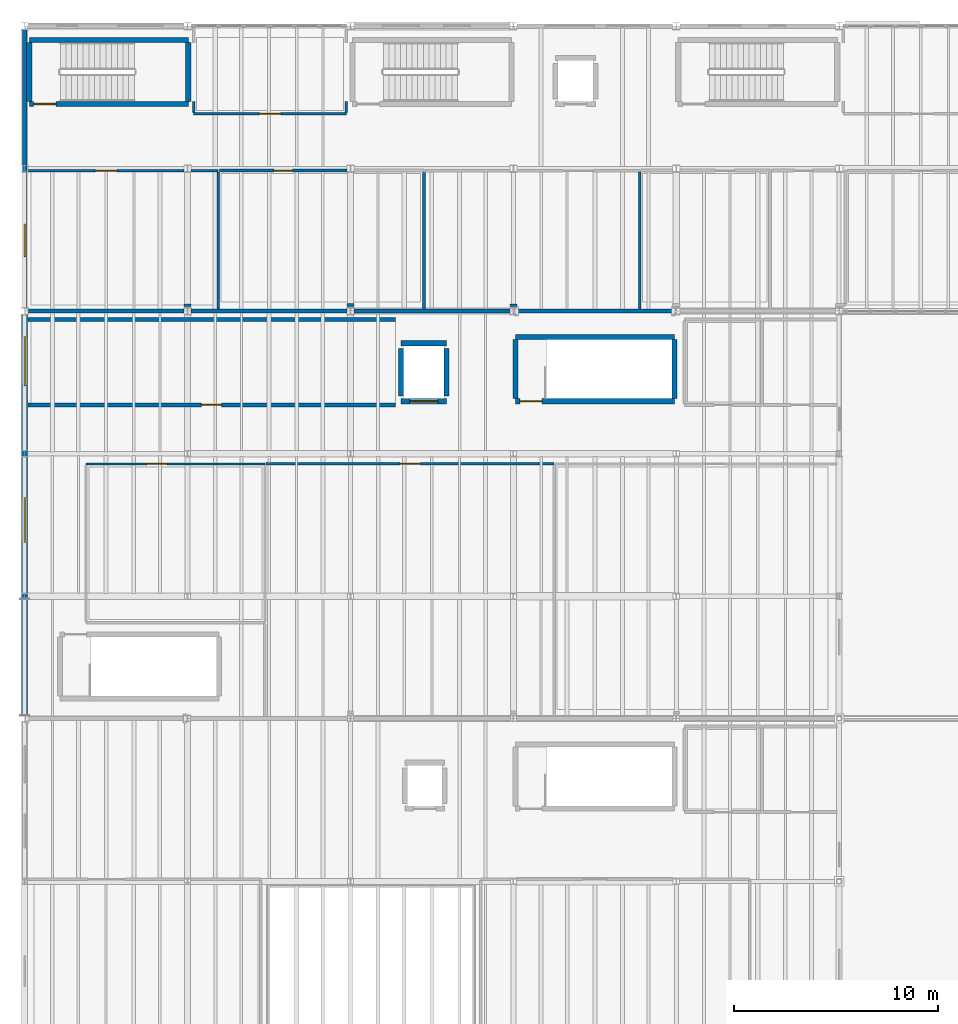
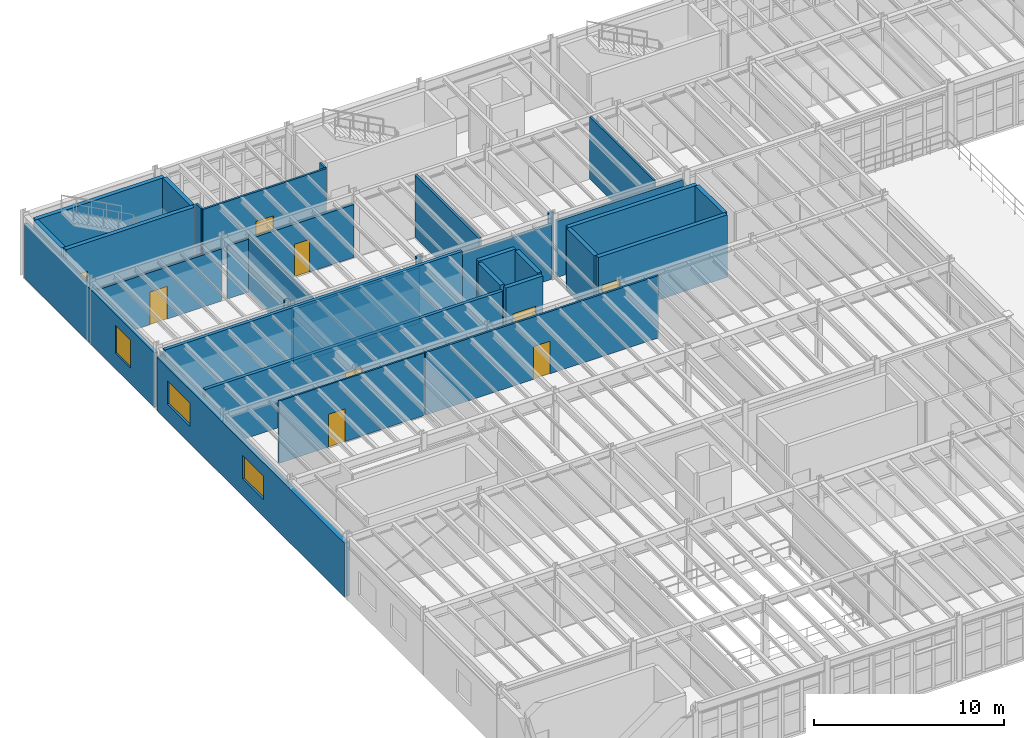
# One storey, part 60 of 78: 34 walls, 9 doors, 3 windows, 12 openings.
"""IFC4 building model written with IfcOpenShell, lengths in metres."""

from ifc_helpers import new_model, si_unit, direction, frame, frame_2d, origin, place, context, subcontext, project, spatial, rectangle, extrude, material, layer, layer_set, type_object, element, fill, save


model = new_model("IFC4")

# Units and contexts
model_context = context("Model", 3, precision=1e-05, world=origin(), true_north=direction((0.0, 1.0)))
body_context = subcontext(model_context, "Body", "Model", "MODEL_VIEW")
ifc_project = project(units=[si_unit("LENGTHUNIT", "METRE"), si_unit("AREAUNIT", "SQUARE_METRE"), si_unit("VOLUMEUNIT", "CUBIC_METRE"), si_unit("PLANEANGLEUNIT", "RADIAN"), si_unit("MASSUNIT", "GRAM", prefix="KILO"), si_unit("THERMODYNAMICTEMPERATUREUNIT", "KELVIN"), si_unit("POWERUNIT", "WATT")], contexts=[model_context])

# Site, building, storey
site_placement = place(None, origin())
site = spatial("IfcSite", under=ifc_project, at=site_placement, CompositionType="ELEMENT")
building_placement = place(site_placement, origin())
building = spatial("IfcBuilding", under=site, at=building_placement, Name="Zhenchuan Central Fire Station", CompositionType="ELEMENT")
storey_placement = place(building_placement, frame((0.0, 0.0, 5.85009765625)))
storey = spatial("IfcBuildingStorey", under=building, at=storey_placement, Name="L02", CompositionType="ELEMENT", Elevation=5.85009765625)

# Wall, openings, windows
ifc_material_1 = material(Name="Sintered clay brick masonry MU15", Category="masonry")
ifc_layer_1 = layer(ifc_material_1, 0.300048828125, Name="Sintered clay brick masonry MU15", Category="masonry")
ifc_layer_set_1 = layer_set([ifc_layer_1], Name="Sintered clay brick masonry MU15")
wall_type_1 = type_object("IfcWallType", Name="EW-BRK300", PredefinedType="SOLIDWALL", material=ifc_layer_set_1)
wall_1_placement = place(storey_placement, frame((0.0, 22.64990234375, 0.0), z_axis=(0.0, 0.0, 1.0), x_axis=(0.0, 1.0, 0.0)))
wall_1 = element("IfcWall", 1, at=wall_1_placement, inside=storey, type_object=wall_type_1, Name="EW-L02-V4W", PredefinedType="SOLIDWALL", context=body_context, shape_type="SweptSolid", body=[
    extrude(rectangle(XDim=19.675048828125, YDim=0.300048828125, at=frame_2d((9.83740234375, 0.0))), origin(), (0.0, 0.0, 1.0), 3.44384765625),
])
opening_1_placement = place(wall_1_placement, frame((8.5, 0.0, 1.10009765625)))
opening_1 = element("IfcOpeningElement", 2, at=opening_1_placement, cuts=wall_1, Name="Opening W-20", PredefinedType="OPENING", context=body_context, shape_type="SweptSolid", body=[
    extrude(rectangle(XDim=2.199951171875, YDim=1.5, at=frame_2d((1.10009765625, 0.75))), frame((0.0, 0.159912109375, 0.0), z_axis=(0.0, -1.0, 0.0), x_axis=(1.0, 0.0, 0.0)), (0.0, 0.0, 1.0), 0.320068359375),
])
opening_2_placement = place(wall_1_placement, frame((16.199951171875, 0.0, 1.10009765625)))
opening_2 = element("IfcOpeningElement", 3, at=opening_2_placement, cuts=wall_1, Name="Opening W-21", PredefinedType="OPENING", context=body_context, shape_type="SweptSolid", body=[
    extrude(rectangle(XDim=2.39990234375, YDim=1.5, at=frame_2d((1.199951171875, 0.75))), frame((0.0, 0.159912109375, 0.0), z_axis=(0.0, -1.0, 0.0), x_axis=(1.0, 0.0, 0.0)), (0.0, 0.0, 1.0), 0.320068359375),
])
ifc_material_2 = material(Name="Laminated low-E double glazing in aluminium frame", Category="aluminium")
window_type_1 = type_object("IfcWindowType", Name="WN-20", PartitioningType="SINGLE_PANEL", PredefinedType="WINDOW", material=ifc_material_2)
window_1_placement = place(opening_1_placement, origin())
window_1 = element("IfcWindow", 4, at=window_1_placement, inside=storey, type_object=window_type_1, Name="Exterior Window 0048", OverallHeight=1.5, OverallWidth=2.199951171875, PartitioningType="SINGLE_PANEL", PredefinedType="WINDOW", context=body_context, shape_type="SweptSolid", body=[
    extrude(rectangle(XDim=2.199951171875, YDim=1.5, at=frame_2d((1.10009765625, 0.75))), frame((0.0, 0.030029296875, 0.0), z_axis=(0.0, -1.0, 0.0), x_axis=(1.0, 0.0, 0.0)), (0.0, 0.0, 1.0), 0.06005859375),
])
fill(opening_1, window_1)
window_type_2 = type_object("IfcWindowType", Name="WN-21", PartitioningType="SINGLE_PANEL", PredefinedType="WINDOW", material=ifc_material_2)
window_2_placement = place(opening_2_placement, origin())
window_2 = element("IfcWindow", 5, at=window_2_placement, inside=storey, type_object=window_type_2, Name="Exterior Window 0049", OverallHeight=1.5, OverallWidth=2.39990234375, PartitioningType="SINGLE_PANEL", PredefinedType="WINDOW", context=body_context, shape_type="SweptSolid", body=[
    extrude(rectangle(XDim=2.39990234375, YDim=1.5, at=frame_2d((1.199951171875, 0.75))), frame((0.0, 0.030029296875, 0.0), z_axis=(0.0, -1.0, 0.0), x_axis=(1.0, 0.0, 0.0)), (0.0, 0.0, 1.0), 0.06005859375),
])
fill(opening_2, window_2)

# Wall, opening, window
ifc_material_3 = material(Name="Precast concrete C40/50", Category="concrete")
ifc_layer_2 = layer(ifc_material_3, 0.219970703125, Name="Precast concrete C40/50", Category="concrete")
ifc_layer_set_2 = layer_set([ifc_layer_2], Name="Precast concrete C40/50")
wall_type_2 = type_object("IfcWallType", Name="EW-PRC220", PredefinedType="SOLIDWALL", material=ifc_layer_set_2)
wall_2_placement = place(storey_placement, frame((0.0, 42.675048828125, 0.0), z_axis=(0.0, 0.0, 1.0), x_axis=(0.0, 1.0, 0.0)))
wall_2 = element("IfcWall", 6, at=wall_2_placement, inside=storey, type_object=wall_type_2, Name="EW-L02-V3W", PredefinedType="SOLIDWALL", context=body_context, shape_type="SweptSolid", body=[
    extrude(rectangle(XDim=13.64990234375, YDim=0.219970703125, at=frame_2d((6.824951171875, 0.0))), origin(), (0.0, 0.0, 1.0), 3.493896484375),
])
opening_3_placement = place(wall_2_placement, frame((2.5, 0.0, 1.0)))
opening_3 = element("IfcOpeningElement", 7, at=opening_3_placement, cuts=wall_2, Name="Opening W-24", PredefinedType="OPENING", context=body_context, shape_type="SweptSolid", body=[
    extrude(rectangle(XDim=1.60009765625, YDim=1.800048828125, at=frame_2d((0.800048828125, 0.89990234375))), frame((0.0, 0.119873046875, 0.0), z_axis=(0.0, -1.0, 0.0), x_axis=(1.0, 0.0, 0.0)), (0.0, 0.0, 1.0), 0.239990234375),
])
window_type_3 = type_object("IfcWindowType", Name="WN-24", PartitioningType="SINGLE_PANEL", PredefinedType="WINDOW", material=ifc_material_2)
window_3_placement = place(opening_3_placement, origin())
window_3 = element("IfcWindow", 8, at=window_3_placement, inside=storey, type_object=window_type_3, Name="Exterior Window 0062", OverallHeight=1.800048828125, OverallWidth=1.60009765625, PartitioningType="SINGLE_PANEL", PredefinedType="WINDOW", context=body_context, shape_type="SweptSolid", body=[
    extrude(rectangle(XDim=1.60009765625, YDim=1.800048828125, at=frame_2d((0.800048828125, 0.89990234375))), frame((0.0, 0.030029296875, 0.0), z_axis=(0.0, -1.0, 0.0), x_axis=(1.0, 0.0, 0.0)), (0.0, 0.0, 1.0), 0.06005859375),
])
fill(opening_3, window_3)

# Wall
ifc_material_4 = material(Name="Autoclaved aerated concrete blockwork", Category="masonry")
ifc_layer_3 = layer(ifc_material_4, 0.14990234375, Name="Autoclaved aerated concrete blockwork", Category="masonry")
ifc_layer_set_3 = layer_set([ifc_layer_3], Name="Autoclaved aerated concrete blockwork")
wall_type_3 = type_object("IfcWallType", Name="IW-BLK150", PredefinedType="PARTITIONING", material=ifc_layer_set_3)
wall_3_placement = place(storey_placement, frame((15.825927734375, 42.800048828125, 0.0), z_axis=(0.0, 0.0, 1.0), x_axis=(1.0, 0.0, 0.0)))
element("IfcWall", 9, at=wall_3_placement, inside=storey, type_object=wall_type_3, Name="Crew Shower and Washroom West S Partition", PredefinedType="PARTITIONING", context=body_context, shape_type="SweptSolid", body=[
    extrude(rectangle(XDim=0.34814453125, YDim=0.14990234375, at=frame_2d((0.174072265625, 0.0))), origin(), (0.0, 0.0, 1.0), 4.0),
])

# Wall, opening, door
wall_4_placement = place(storey_placement, frame((9.56298828125, 49.39990234375, 0.0), z_axis=(0.0, 0.0, 1.0), x_axis=(1.0, 0.0, 0.0)))
wall_4 = element("IfcWall", 10, at=wall_4_placement, inside=storey, type_object=wall_type_3, Name="Crew Shower and Washroom West N Partition 1", PredefinedType="PARTITIONING", context=body_context, shape_type="SweptSolid", body=[
    extrude(rectangle(XDim=6.259033203125, YDim=0.14990234375, at=frame_2d((3.12939453125, 0.0))), origin(), (0.0, 0.0, 1.0), 3.393798828125),
])
opening_4_placement = place(wall_4_placement, frame((2.66943359375, 0.0, 0.0)))
opening_4 = element("IfcOpeningElement", 11, at=opening_4_placement, cuts=wall_4, Name="Opening D-132", PredefinedType="OPENING", context=body_context, shape_type="SweptSolid", body=[
    extrude(rectangle(XDim=0.919921875, YDim=2.10009765625, at=frame_2d((0.4599609375, 1.050048828125))), frame((0.0, 0.0849609375, 0.0), z_axis=(0.0, -1.0, 0.0), x_axis=(1.0, 0.0, 0.0)), (0.0, 0.0, 1.0), 0.169921875),
])
ifc_material_5 = material(Name="Moisture-resistant accessible WC door")
door_type_1 = type_object("IfcDoorType", Name="ID-WC-092x210", OperationType="NOTDEFINED", PredefinedType="DOOR", material=ifc_material_5)
door_1_placement = place(opening_4_placement, origin())
door_1 = element("IfcDoor", 12, at=door_1_placement, inside=storey, type_object=door_type_1, Name="Crew Shower and Washroom West Door", OperationType="SINGLE_SWING_RIGHT", OverallHeight=2.10009765625, OverallWidth=0.919921875, PredefinedType="DOOR", context=body_context, shape_type="SweptSolid", body=[
    extrude(rectangle(XDim=0.919921875, YDim=2.10009765625, at=frame_2d((0.4599609375, 1.050048828125))), frame((0.0, 0.02490234375, 0.0), z_axis=(0.0, -1.0, 0.0), x_axis=(1.0, 0.0, 0.0)), (0.0, 0.0, 1.0), 0.050048828125),
])
fill(opening_4, door_1)

# Walls
wall_5_placement = place(storey_placement, frame((19.60009765625, 42.60302734375, 0.0), z_axis=(0.0, 0.0, 1.0), x_axis=(0.0, 1.0, 0.0)))
element("IfcWall", 13, at=wall_5_placement, inside=storey, type_object=wall_type_3, Name="Crew Shower and Washroom West E Partition", PredefinedType="PARTITIONING", context=body_context, shape_type="SweptSolid", body=[
    extrude(rectangle(XDim=6.718994140625, YDim=0.14990234375, at=frame_2d((3.359375, 0.0))), origin(), (0.0, 0.0, 1.0), 4.0),
])
ifc_layer_4 = layer(ifc_material_4, 0.199951171875, Name="Autoclaved aerated concrete blockwork", Category="masonry")
ifc_layer_set_4 = layer_set([ifc_layer_4], Name="Autoclaved aerated concrete blockwork")
wall_type_4 = type_object("IfcWallType", Name="IW-FIR200", PredefinedType="PARTITIONING", material=ifc_layer_set_4)
wall_6_placement = place(storey_placement, frame((0.177001953125, 42.5, 0.0), z_axis=(0.0, 0.0, 1.0), x_axis=(1.0, 0.0, 0.0)))
element("IfcWall", 14, at=wall_6_placement, inside=storey, type_object=wall_type_4, Name="L02 Workshop-Crew Fire Compartment Wall X=0..8", PredefinedType="PARTITIONING", context=body_context, shape_type="SweptSolid", body=[
    extrude(rectangle(XDim=7.64599609375, YDim=0.199951171875, at=frame_2d((3.822998046875, 0.0))), origin(), (0.0, 0.0, 1.0), 3.493896484375),
])
wall_7_placement = place(storey_placement, frame((8.177001953125, 42.5, 0.0), z_axis=(0.0, 0.0, 1.0), x_axis=(1.0, 0.0, 0.0)))
element("IfcWall", 15, at=wall_7_placement, inside=storey, type_object=wall_type_4, Name="L02 Workshop-Crew Fire Compartment Wall X=8..16", PredefinedType="PARTITIONING", context=body_context, shape_type="SweptSolid", body=[
    extrude(rectangle(XDim=7.64599609375, YDim=0.199951171875, at=frame_2d((3.822998046875, 0.0))), origin(), (0.0, 0.0, 1.0), 3.5439453125),
])
wall_8_placement = place(storey_placement, frame((16.177001953125, 42.5, 0.0), z_axis=(0.0, 0.0, 1.0), x_axis=(1.0, 0.0, 0.0)))
element("IfcWall", 16, at=wall_8_placement, inside=storey, type_object=wall_type_4, Name="L02 Workshop-Crew Fire Compartment Wall X=16..24", PredefinedType="PARTITIONING", context=body_context, shape_type="SweptSolid", body=[
    extrude(rectangle(XDim=7.64599609375, YDim=0.199951171875, at=frame_2d((3.822998046875, 0.0))), origin(), (0.0, 0.0, 1.0), 3.493896484375),
])
wall_9_placement = place(storey_placement, frame((24.177001953125, 42.5, 0.0), z_axis=(0.0, 0.0, 1.0), x_axis=(1.0, 0.0, 0.0)))
element("IfcWall", 17, at=wall_9_placement, inside=storey, type_object=wall_type_4, Name="L02 Workshop-Crew Fire Compartment Wall X=24..32", PredefinedType="PARTITIONING", context=body_context, shape_type="SweptSolid", body=[
    extrude(rectangle(XDim=7.64599609375, YDim=0.199951171875, at=frame_2d((3.822998046875, 0.0))), origin(), (0.0, 0.0, 1.0), 3.593994140625),
])

# Wall, opening, door
wall_10_placement = place(storey_placement, frame((0.153076171875, 37.89990234375, 0.0), z_axis=(0.0, 0.0, 1.0), x_axis=(1.0, 0.0, 0.0)))
wall_10 = element("IfcWall", 18, at=wall_10_placement, inside=storey, type_object=wall_type_4, Name="BA Telemetry Control Room S Partition", PredefinedType="PARTITIONING", context=body_context, shape_type="SweptSolid", body=[
    extrude(rectangle(XDim=18.046875, YDim=0.199951171875, at=frame_2d((9.0234375, 0.0))), origin(), (0.0, 0.0, 1.0), 4.0),
])
opening_5_placement = place(wall_10_placement, frame((8.5234375, 0.0, 0.0)))
opening_5 = element("IfcOpeningElement", 19, at=opening_5_placement, cuts=wall_10, Name="Opening D-128", PredefinedType="OPENING", context=body_context, shape_type="SweptSolid", body=[
    extrude(rectangle(XDim=1.0, YDim=2.10009765625, at=frame_2d((0.5, 1.050048828125))), frame((0.0, 0.10986328125, 0.0), z_axis=(0.0, -1.0, 0.0), x_axis=(1.0, 0.0, 0.0)), (0.0, 0.0, 1.0), 0.219970703125),
])
ifc_material_6 = material(Name="Solid-core timber office door", Category="wood")
door_type_2 = type_object("IfcDoorType", Name="ID-OFF-100x210", OperationType="NOTDEFINED", PredefinedType="DOOR", material=ifc_material_6)
door_2_placement = place(opening_5_placement, origin())
door_2 = element("IfcDoor", 20, at=door_2_placement, inside=storey, type_object=door_type_2, Name="BA Telemetry Control Room Door", OperationType="SINGLE_SWING_RIGHT", OverallHeight=2.10009765625, OverallWidth=1.0, PredefinedType="DOOR", context=body_context, shape_type="SweptSolid", body=[
    extrude(rectangle(XDim=1.0, YDim=2.10009765625, at=frame_2d((0.5, 1.050048828125))), frame((0.0, 0.02490234375, 0.0), z_axis=(0.0, -1.0, 0.0), x_axis=(1.0, 0.0, 0.0)), (0.0, 0.0, 1.0), 0.050048828125),
])
fill(opening_5, door_2)

# Wall
wall_11_placement = place(storey_placement, frame((0.153076171875, 42.10009765625, 0.0), z_axis=(0.0, 0.0, 1.0), x_axis=(1.0, 0.0, 0.0)))
element("IfcWall", 21, at=wall_11_placement, inside=storey, type_object=wall_type_4, Name="BA Telemetry Control Room N Partition", PredefinedType="PARTITIONING", context=body_context, shape_type="SweptSolid", body=[
    extrude(rectangle(XDim=18.046875, YDim=0.199951171875, at=frame_2d((9.0234375, 0.0))), origin(), (0.0, 0.0, 1.0), 4.0),
])

# Wall, opening, door
ifc_material_7 = material(Name="Gypsum plasterboard on steel studs", Category="gypsum")
ifc_layer_5 = layer(ifc_material_7, 0.10009765625, Name="Gypsum plasterboard on steel studs", Category="gypsum")
ifc_layer_set_5 = layer_set([ifc_layer_5], Name="Gypsum plasterboard on steel studs")
wall_type_5 = type_object("IfcWallType", Name="IW-GYP100", PredefinedType="PARTITIONING", material=ifc_layer_set_5)
wall_12_placement = place(storey_placement, frame((3.0, 35.0, 0.0), z_axis=(0.0, 0.0, 1.0), x_axis=(1.0, 0.0, 0.0)))
wall_12 = element("IfcWall", 22, at=wall_12_placement, inside=storey, type_object=wall_type_5, Name="Confined Search Training Maze N Partition", PredefinedType="PARTITIONING", context=body_context, shape_type="SweptSolid", body=[
    extrude(rectangle(XDim=8.800048828125, YDim=0.10009765625, at=frame_2d((4.39990234375, 0.0))), origin(), (0.0, 0.0, 1.0), 4.0),
])
opening_6_placement = place(wall_12_placement, frame((3.0, 0.0, 0.0)))
opening_6 = element("IfcOpeningElement", 23, at=opening_6_placement, cuts=wall_12, Name="Opening D-125", PredefinedType="OPENING", context=body_context, shape_type="SweptSolid", body=[
    extrude(rectangle(XDim=1.0, YDim=2.10009765625, at=frame_2d((0.5, 1.050048828125))), frame((0.0, 0.06005859375, 0.0), z_axis=(0.0, -1.0, 0.0), x_axis=(1.0, 0.0, 0.0)), (0.0, 0.0, 1.0), 0.1201171875),
])
door_3_placement = place(opening_6_placement, origin())
door_3 = element("IfcDoor", 24, at=door_3_placement, inside=storey, type_object=door_type_2, Name="Confined Search Training Maze Door", OperationType="SINGLE_SWING_LEFT", OverallHeight=2.10009765625, OverallWidth=1.0, PredefinedType="DOOR", context=body_context, shape_type="SweptSolid", body=[
    extrude(rectangle(XDim=1.0, YDim=2.10009765625, at=frame_2d((0.5, 1.050048828125))), frame((0.0, 0.02490234375, 0.0), z_axis=(0.0, -1.0, 0.0), x_axis=(1.0, 0.0, 0.0)), (0.0, 0.0, 1.0), 0.050048828125),
])
fill(opening_6, door_3)

ifc_layer_6 = layer(ifc_material_7, 0.1201171875, Name="Gypsum plasterboard on steel studs", Category="gypsum")
ifc_layer_set_6 = layer_set([ifc_layer_6], Name="Gypsum plasterboard on steel studs")
wall_type_6 = type_object("IfcWallType", Name="IW-GYP120", PredefinedType="PARTITIONING", material=ifc_layer_set_6)
wall_13_placement = place(storey_placement, frame((11.85302734375, 35.0, 0.0), z_axis=(0.0, 0.0, 1.0), x_axis=(1.0, 0.0, 0.0)))
wall_13 = element("IfcWall", 25, at=wall_13_placement, inside=storey, type_object=wall_type_6, Name="Breathing-Apparatus Training Chamber N Partition", PredefinedType="PARTITIONING", context=body_context, shape_type="SweptSolid", body=[
    extrude(rectangle(XDim=14.14697265625, YDim=0.1201171875, at=frame_2d((7.073486328125, 0.0))), origin(), (0.0, 0.0, 1.0), 4.0),
])
opening_7_placement = place(wall_13_placement, frame((6.573486328125, 0.0, 0.0)))
opening_7 = element("IfcOpeningElement", 26, at=opening_7_placement, cuts=wall_13, Name="Opening D-126", PredefinedType="OPENING", context=body_context, shape_type="SweptSolid", body=[
    extrude(rectangle(XDim=1.0, YDim=2.10009765625, at=frame_2d((0.5, 1.050048828125))), frame((0.0, 0.070068359375, 0.0), z_axis=(0.0, -1.0, 0.0), x_axis=(1.0, 0.0, 0.0)), (0.0, 0.0, 1.0), 0.14013671875),
])
door_4_placement = place(opening_7_placement, origin())
door_4 = element("IfcDoor", 27, at=door_4_placement, inside=storey, type_object=door_type_2, Name="Breathing-Apparatus Training Chamber Door", OperationType="SINGLE_SWING_RIGHT", OverallHeight=2.10009765625, OverallWidth=1.0, PredefinedType="DOOR", context=body_context, shape_type="SweptSolid", body=[
    extrude(rectangle(XDim=1.0, YDim=2.10009765625, at=frame_2d((0.5, 1.050048828125))), frame((0.0, 0.02490234375, 0.0), z_axis=(0.0, -1.0, 0.0), x_axis=(1.0, 0.0, 0.0)), (0.0, 0.0, 1.0), 0.050048828125),
])
fill(opening_7, door_4)

# Wall
wall_14_placement = place(storey_placement, frame((7.825927734375, 42.800048828125, 0.0), z_axis=(0.0, 0.0, 1.0), x_axis=(1.0, 0.0, 0.0)))
element("IfcWall", 28, at=wall_14_placement, inside=storey, type_object=wall_type_6, Name="Crew Dormitory 01 S Partition", PredefinedType="PARTITIONING", context=body_context, shape_type="SweptSolid", body=[
    extrude(rectangle(XDim=0.34814453125, YDim=0.1201171875, at=frame_2d((0.174072265625, 0.0))), origin(), (0.0, 0.0, 1.0), 4.0),
])

# Wall, opening, door
wall_15_placement = place(storey_placement, frame((0.177978515625, 49.39990234375, 0.0), z_axis=(0.0, 0.0, 1.0), x_axis=(1.0, 0.0, 0.0)))
wall_15 = element("IfcWall", 29, at=wall_15_placement, inside=storey, type_object=wall_type_6, Name="Crew Dormitory 01 N Partition 1", PredefinedType="PARTITIONING", context=body_context, shape_type="SweptSolid", body=[
    extrude(rectangle(XDim=7.64404296875, YDim=0.1201171875, at=frame_2d((3.822021484375, 0.0))), origin(), (0.0, 0.0, 1.0), 3.343994140625),
])
opening_8_placement = place(wall_15_placement, frame((3.297119140625, 0.0, 0.0)))
opening_8 = element("IfcOpeningElement", 30, at=opening_8_placement, cuts=wall_15, Name="Opening D-131", PredefinedType="OPENING", context=body_context, shape_type="SweptSolid", body=[
    extrude(rectangle(XDim=1.050048828125, YDim=2.10009765625, at=frame_2d((0.52490234375, 1.050048828125))), frame((0.0, 0.070068359375, 0.0), z_axis=(0.0, -1.0, 0.0), x_axis=(1.0, 0.0, 0.0)), (0.0, 0.0, 1.0), 0.14013671875),
])
ifc_material_8 = material(Name="Acoustic solid-core larch dormitory door", Category="wood")
door_type_3 = type_object("IfcDoorType", Name="ID-DRM-105x210", OperationType="NOTDEFINED", PredefinedType="DOOR", material=ifc_material_8)
door_5_placement = place(opening_8_placement, origin())
door_5 = element("IfcDoor", 31, at=door_5_placement, inside=storey, type_object=door_type_3, Name="Crew Dormitory 01 Door", OperationType="SINGLE_SWING_LEFT", OverallHeight=2.10009765625, OverallWidth=1.050048828125, PredefinedType="DOOR", context=body_context, shape_type="SweptSolid", body=[
    extrude(rectangle(XDim=1.050048828125, YDim=2.10009765625, at=frame_2d((0.52490234375, 1.050048828125))), frame((0.0, 0.02490234375, 0.0), z_axis=(0.0, -1.0, 0.0), x_axis=(1.0, 0.0, 0.0)), (0.0, 0.0, 1.0), 0.050048828125),
])
fill(opening_8, door_5)

# Walls
wall_16_placement = place(storey_placement, frame((8.177978515625, 49.39990234375, 0.0), z_axis=(0.0, 0.0, 1.0), x_axis=(1.0, 0.0, 0.0)))
element("IfcWall", 32, at=wall_16_placement, inside=storey, type_object=wall_type_6, Name="Crew Dormitory 01 N Partition 2", PredefinedType="PARTITIONING", context=body_context, shape_type="SweptSolid", body=[
    extrude(rectangle(XDim=1.322021484375, YDim=0.1201171875, at=frame_2d((0.6611328125, 0.0))), origin(), (0.0, 0.0, 1.0), 3.393798828125),
])
wall_17_placement = place(storey_placement, frame((9.5, 42.60302734375, 0.0), z_axis=(0.0, 0.0, 1.0), x_axis=(0.0, 1.0, 0.0)))
element("IfcWall", 33, at=wall_17_placement, inside=storey, type_object=wall_type_6, Name="Crew Dormitory 01 E Partition", PredefinedType="PARTITIONING", context=body_context, shape_type="SweptSolid", body=[
    extrude(rectangle(XDim=6.73388671875, YDim=0.1201171875, at=frame_2d((3.366943359375, 0.0))), origin(), (0.0, 0.0, 1.0), 3.699951171875),
])
wall_18_placement = place(storey_placement, frame((23.825927734375, 42.800048828125, 0.0), z_axis=(0.0, 0.0, 1.0), x_axis=(1.0, 0.0, 0.0)))
element("IfcWall", 34, at=wall_18_placement, inside=storey, type_object=wall_type_6, Name="Crew Turnout Kit and Locker Room S Partition", PredefinedType="PARTITIONING", context=body_context, shape_type="SweptSolid", body=[
    extrude(rectangle(XDim=0.34814453125, YDim=0.1201171875, at=frame_2d((0.174072265625, 0.0))), origin(), (0.0, 0.0, 1.0), 4.0),
])
wall_19_placement = place(storey_placement, frame((30.199951171875, 42.60302734375, 0.0), z_axis=(0.0, 0.0, 1.0), x_axis=(0.0, 1.0, 0.0)))
element("IfcWall", 35, at=wall_19_placement, inside=storey, type_object=wall_type_6, Name="Crew Turnout Kit and Locker Room E Partition", PredefinedType="PARTITIONING", context=body_context, shape_type="SweptSolid", body=[
    extrude(rectangle(XDim=6.73388671875, YDim=0.1201171875, at=frame_2d((3.366943359375, 0.0))), origin(), (0.0, 0.0, 1.0), 4.0),
])

# Wall, opening, door
wall_20_placement = place(storey_placement, frame((8.300048828125, 52.199951171875, 0.0), z_axis=(0.0, 0.0, 1.0), x_axis=(1.0, 0.0, 0.0)))
wall_20 = element("IfcWall", 36, at=wall_20_placement, inside=storey, type_object=wall_type_6, Name="Crew Dormitory 02 S Partition", PredefinedType="PARTITIONING", context=body_context, shape_type="SweptSolid", body=[
    extrude(rectangle(XDim=7.5, YDim=0.1201171875, at=frame_2d((3.75, 0.0))), origin(), (0.0, 0.0, 1.0), 4.0),
])
opening_9_placement = place(wall_20_placement, frame((3.22509765625, 0.0, 0.0)))
opening_9 = element("IfcOpeningElement", 37, at=opening_9_placement, cuts=wall_20, Name="Opening D-138", PredefinedType="OPENING", context=body_context, shape_type="SweptSolid", body=[
    extrude(rectangle(XDim=1.050048828125, YDim=2.10009765625, at=frame_2d((0.52490234375, 1.050048828125))), frame((0.0, 0.070068359375, 0.0), z_axis=(0.0, -1.0, 0.0), x_axis=(1.0, 0.0, 0.0)), (0.0, 0.0, 1.0), 0.14013671875),
])
door_6_placement = place(opening_9_placement, origin())
door_6 = element("IfcDoor", 38, at=door_6_placement, inside=storey, type_object=door_type_3, Name="Crew Dormitory 02 Door", OperationType="SINGLE_SWING_RIGHT", OverallHeight=2.10009765625, OverallWidth=1.050048828125, PredefinedType="DOOR", context=body_context, shape_type="SweptSolid", body=[
    extrude(rectangle(XDim=1.050048828125, YDim=2.10009765625, at=frame_2d((0.52490234375, 1.050048828125))), frame((0.0, 0.02490234375, 0.0), z_axis=(0.0, -1.0, 0.0), x_axis=(1.0, 0.0, 0.0)), (0.0, 0.0, 1.0), 0.050048828125),
])
fill(opening_9, door_6)

# Walls
for number, where, z_axis, x_axis, name in (
    (39, (8.300048828125, 52.262939453125, 0.0), (0.0, 0.0, 1.0), (0.0, 1.0, 0.0), "Crew Dormitory 02 W Partition 1"),
    (40, (15.800048828125, 52.262939453125, 0.0), (0.0, 0.0, 1.0), (0.0, 1.0, 0.0), "Crew Dormitory 02 E Partition 1"),
):
    element("IfcWall", number, at=place(storey_placement, frame(where, z_axis=z_axis, x_axis=x_axis)), inside=storey, type_object=wall_type_6, Name=name, PredefinedType="PARTITIONING", context=body_context, shape_type="SweptSolid", body=[
        extrude(rectangle(XDim=0.5341796875, YDim=0.1201171875, at=frame_2d((0.26708984375, 0.0))), origin(), (0.0, 0.0, 1.0), 4.0),
    ])

# Wall, opening, door
ifc_material_9 = material(Name="Concrete C40/50", Category="concrete")
ifc_layer_7 = layer(ifc_material_9, 0.25, Name="Concrete C40/50", Category="concrete")
ifc_layer_set_7 = layer_set([ifc_layer_7], Name="Concrete C40/50")
wall_type_7 = type_object("IfcWallType", Name="IW-SHR250", PredefinedType="SHEAR", material=ifc_layer_set_7)
wall_21_placement = place(storey_placement, frame((24.094970703125, 38.074951171875, 0.0), z_axis=(0.0, 0.0, 1.0), x_axis=(1.0, 0.0, 0.0)))
wall_21 = element("IfcWall", 41, at=wall_21_placement, inside=storey, type_object=wall_type_7, Name="ST-04 L02 South Core Wall", PredefinedType="SHEAR", context=body_context, shape_type="SweptSolid", body=[
    extrude(rectangle(XDim=7.81005859375, YDim=0.25, at=frame_2d((3.905029296875, 0.0))), origin(), (0.0, 0.0, 1.0), 4.0),
])
opening_10_placement = place(wall_21_placement, frame((0.219970703125, 0.0, 0.0)))
opening_10 = element("IfcOpeningElement", 42, at=opening_10_placement, cuts=wall_21, Name="Opening D-008", PredefinedType="OPENING", context=body_context, shape_type="SweptSolid", body=[
    extrude(rectangle(XDim=1.10009765625, YDim=2.14990234375, at=frame_2d((0.550048828125, 1.074951171875))), frame((0.0, 0.135009765625, 0.0), z_axis=(0.0, -1.0, 0.0), x_axis=(1.0, 0.0, 0.0)), (0.0, 0.0, 1.0), 0.27001953125),
])
ifc_material_10 = material(Name="Painted steel acoustic fire door", Category="steel")
door_type_4 = type_object("IfcDoorType", Name="ID-ST-110x215", OperationType="NOTDEFINED", PredefinedType="DOOR", material=ifc_material_10)
door_7_placement = place(opening_10_placement, frame((1.10009765625, 0.0, 0.0), z_axis=(0.0, 0.0, 1.0), x_axis=(-1.0, 0.0, 0.0)))
door_7 = element("IfcDoor", 43, at=door_7_placement, inside=storey, type_object=door_type_4, Name="ST-04 L02 Fire Door", OperationType="SINGLE_SWING_RIGHT", OverallHeight=2.14990234375, OverallWidth=1.10009765625, PredefinedType="DOOR", context=body_context, shape_type="SweptSolid", body=[
    extrude(rectangle(XDim=1.10009765625, YDim=2.14990234375, at=frame_2d((0.550048828125, 1.074951171875))), frame((0.0, 0.02490234375, 0.0), z_axis=(0.0, -1.0, 0.0), x_axis=(1.0, 0.0, 0.0)), (0.0, 0.0, 1.0), 0.050048828125),
])
fill(opening_10, door_7)

# Walls
wall_22_placement = place(storey_placement, frame((24.094970703125, 41.22509765625, 0.0), z_axis=(0.0, 0.0, 1.0), x_axis=(1.0, 0.0, 0.0)))
element("IfcWall", 44, at=wall_22_placement, inside=storey, type_object=wall_type_7, Name="ST-04 L02 North Core Wall", PredefinedType="SHEAR", context=body_context, shape_type="SweptSolid", body=[
    extrude(rectangle(XDim=7.81005859375, YDim=0.25, at=frame_2d((3.905029296875, 0.0))), origin(), (0.0, 0.0, 1.0), 4.0),
])
for number, where, z_axis, x_axis, name in (
    (45, (24.094970703125, 38.199951171875, 0.0), (0.0, 0.0, 1.0), (0.0, 1.0, 0.0), "ST-04 L02 West Core Wall"),
    (46, (31.905029296875, 38.199951171875, 0.0), (0.0, 0.0, 1.0), (0.0, 1.0, 0.0), "ST-04 L02 East Core Wall"),
):
    element("IfcWall", number, at=place(storey_placement, frame(where, z_axis=z_axis, x_axis=x_axis)), inside=storey, type_object=wall_type_7, Name=name, PredefinedType="SHEAR", context=body_context, shape_type="SweptSolid", body=[
        extrude(rectangle(XDim=2.900146484375, YDim=0.25, at=frame_2d((1.4501953125, 0.0))), origin(), (0.0, 0.0, 1.0), 4.0),
    ])

# Wall, opening, door
wall_23_placement = place(storey_placement, frame((0.22509765625, 52.675048828125, 0.0), z_axis=(0.0, 0.0, 1.0), x_axis=(1.0, 0.0, 0.0)))
wall_23 = element("IfcWall", 47, at=wall_23_placement, inside=storey, type_object=wall_type_7, Name="ST-05 L02 South Core Wall", PredefinedType="SHEAR", context=body_context, shape_type="SweptSolid", body=[
    extrude(rectangle(XDim=7.809814453125, YDim=0.25, at=frame_2d((3.90478515625, 0.0))), origin(), (0.0, 0.0, 1.0), 4.0),
])
opening_11_placement = place(wall_23_placement, frame((0.219970703125, 0.0, 0.0)))
opening_11 = element("IfcOpeningElement", 48, at=opening_11_placement, cuts=wall_23, Name="Opening D-010", PredefinedType="OPENING", context=body_context, shape_type="SweptSolid", body=[
    extrude(rectangle(XDim=1.10009765625, YDim=2.14990234375, at=frame_2d((0.550048828125, 1.074951171875))), frame((0.0, 0.135009765625, 0.0), z_axis=(0.0, -1.0, 0.0), x_axis=(1.0, 0.0, 0.0)), (0.0, 0.0, 1.0), 0.27001953125),
])
door_8_placement = place(opening_11_placement, frame((1.10009765625, 0.0, 0.0), z_axis=(0.0, 0.0, 1.0), x_axis=(-1.0, 0.0, 0.0)))
door_8 = element("IfcDoor", 49, at=door_8_placement, inside=storey, type_object=door_type_4, Name="ST-05 L02 Fire Door", OperationType="SINGLE_SWING_RIGHT", OverallHeight=2.14990234375, OverallWidth=1.10009765625, PredefinedType="DOOR", context=body_context, shape_type="SweptSolid", body=[
    extrude(rectangle(XDim=1.10009765625, YDim=2.14990234375, at=frame_2d((0.550048828125, 1.074951171875))), frame((0.0, 0.02490234375, 0.0), z_axis=(0.0, -1.0, 0.0), x_axis=(1.0, 0.0, 0.0)), (0.0, 0.0, 1.0), 0.050048828125),
])
fill(opening_11, door_8)

# Walls
wall_24_placement = place(storey_placement, frame((0.22509765625, 55.824951171875, 0.0), z_axis=(0.0, 0.0, 1.0), x_axis=(1.0, 0.0, 0.0)))
element("IfcWall", 50, at=wall_24_placement, inside=storey, type_object=wall_type_7, Name="ST-05 L02 North Core Wall", PredefinedType="SHEAR", context=body_context, shape_type="SweptSolid", body=[
    extrude(rectangle(XDim=7.809814453125, YDim=0.25, at=frame_2d((3.90478515625, 0.0))), origin(), (0.0, 0.0, 1.0), 4.0),
])
for number, where, z_axis, x_axis, name in (
    (51, (0.22509765625, 52.800048828125, 0.0), (0.0, 0.0, 1.0), (0.0, 1.0, 0.0), "ST-05 L02 West Core Wall"),
    (52, (8.034912109375, 52.800048828125, 0.0), (0.0, 0.0, 1.0), (0.0, 1.0, 0.0), "ST-05 L02 East Core Wall"),
):
    element("IfcWall", number, at=place(storey_placement, frame(where, z_axis=z_axis, x_axis=x_axis)), inside=storey, type_object=wall_type_7, Name=name, PredefinedType="SHEAR", context=body_context, shape_type="SweptSolid", body=[
        extrude(rectangle(XDim=2.89990234375, YDim=0.25, at=frame_2d((1.449951171875, 0.0))), origin(), (0.0, 0.0, 1.0), 4.0),
    ])

# Wall, opening, door
wall_25_placement = place(storey_placement, frame((18.47509765625, 38.074951171875, 0.0), z_axis=(0.0, 0.0, 1.0), x_axis=(1.0, 0.0, 0.0)))
wall_25 = element("IfcWall", 53, at=wall_25_placement, inside=storey, type_object=wall_type_7, Name="Lift LG-01 L02 South Shaft Wall", PredefinedType="SHEAR", context=body_context, shape_type="SweptSolid", body=[
    extrude(rectangle(XDim=2.25, YDim=0.25, at=frame_2d((1.125, 0.0))), origin(), (0.0, 0.0, 1.0), 4.0),
])
opening_12_placement = place(wall_25_placement, frame((0.425048828125, 0.0, 0.0)))
opening_12 = element("IfcOpeningElement", 54, at=opening_12_placement, cuts=wall_25, Name="Opening LD-021", PredefinedType="OPENING", context=body_context, shape_type="SweptSolid", body=[
    extrude(rectangle(XDim=1.39990234375, YDim=2.199951171875, at=frame_2d((0.699951171875, 1.10009765625))), frame((0.0, 0.135009765625, 0.0), z_axis=(0.0, -1.0, 0.0), x_axis=(1.0, 0.0, 0.0)), (0.0, 0.0, 1.0), 0.27001953125),
])
ifc_material_11 = material(Name="Brushed stainless steel goods landing door", Category="steel")
door_type_5 = type_object("IfcDoorType", Name="ID-LD-140x220", OperationType="NOTDEFINED", PredefinedType="DOOR", material=ifc_material_11)
door_9_placement = place(opening_12_placement, origin())
door_9 = element("IfcDoor", 55, at=door_9_placement, inside=storey, type_object=door_type_5, Name="Lift LG-01 L02 Sliding Landing Door", OperationType="DOUBLE_DOOR_SLIDING", OverallHeight=2.199951171875, OverallWidth=1.39990234375, PredefinedType="DOOR", context=body_context, shape_type="SweptSolid", body=[
    extrude(rectangle(XDim=1.39990234375, YDim=2.199951171875, at=frame_2d((0.699951171875, 1.10009765625))), frame((0.0, 0.02490234375, 0.0), z_axis=(0.0, -1.0, 0.0), x_axis=(1.0, 0.0, 0.0)), (0.0, 0.0, 1.0), 0.050048828125),
])
fill(opening_12, door_9)

# Walls
wall_26_placement = place(storey_placement, frame((18.47509765625, 40.925048828125, 0.0), z_axis=(0.0, 0.0, 1.0), x_axis=(1.0, 0.0, 0.0)))
element("IfcWall", 56, at=wall_26_placement, inside=storey, type_object=wall_type_7, Name="Lift LG-01 L02 North Shaft Wall", PredefinedType="SHEAR", context=body_context, shape_type="SweptSolid", body=[
    extrude(rectangle(XDim=2.25, YDim=0.25, at=frame_2d((1.125, 0.0))), origin(), (0.0, 0.0, 1.0), 4.0),
])
for number, where, z_axis, x_axis, name in (
    (57, (18.47509765625, 38.324951171875, 0.0), (0.0, 0.0, 1.0), (0.0, 1.0, 0.0), "Lift LG-01 L02 West Shaft Wall"),
    (58, (20.72509765625, 38.324951171875, 0.0), (0.0, 0.0, 1.0), (0.0, 1.0, 0.0), "Lift LG-01 L02 East Shaft Wall"),
):
    element("IfcWall", number, at=place(storey_placement, frame(where, z_axis=z_axis, x_axis=x_axis)), inside=storey, type_object=wall_type_7, Name=name, PredefinedType="SHEAR", context=body_context, shape_type="SweptSolid", body=[
        extrude(rectangle(XDim=2.35009765625, YDim=0.25, at=frame_2d((1.175048828125, 0.0))), origin(), (0.0, 0.0, 1.0), 4.0),
    ])

save(model, "model.ifc")
